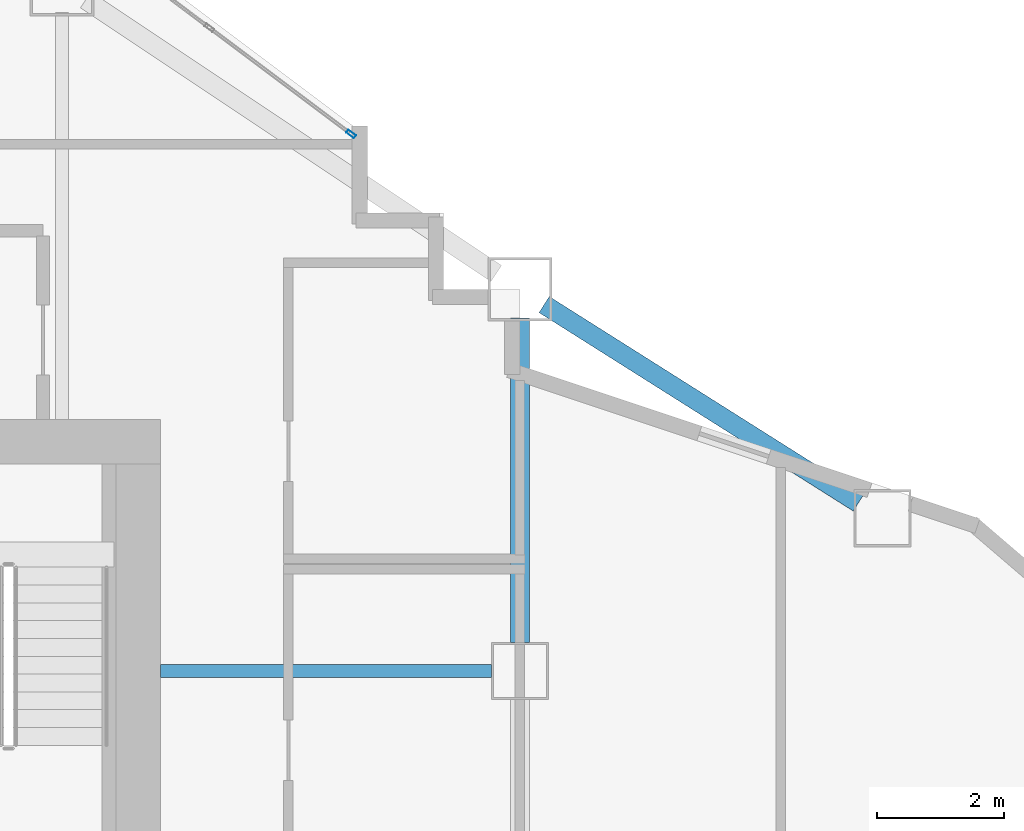
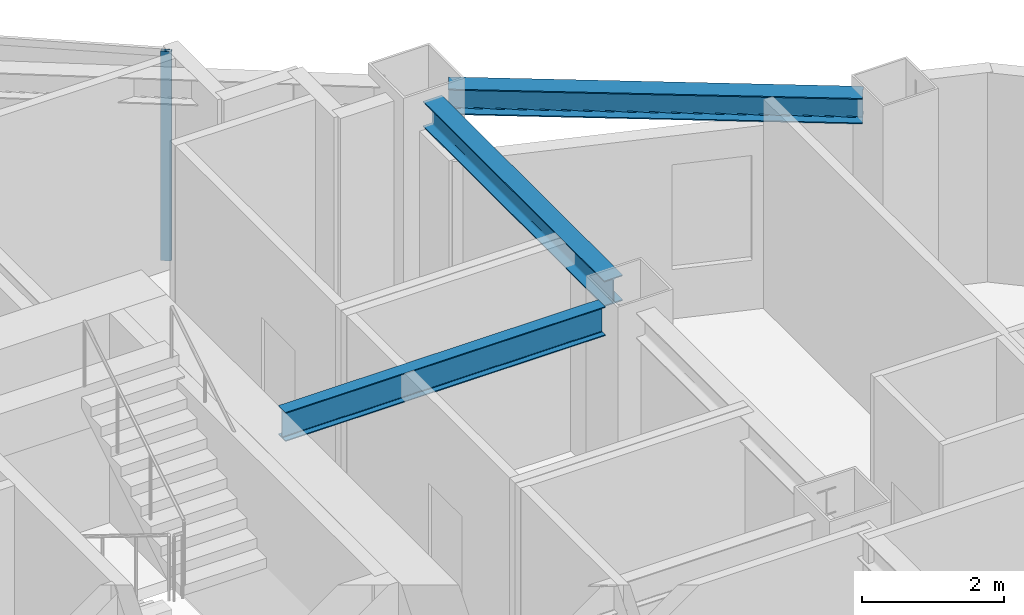
# One storey, part 5 of 15: 3 beams, 1 member, 1 element without a shape of its own.
"""IFC4 building model written with IfcOpenShell, lengths in metres."""

from ifc_helpers import new_model, si_unit, direction, frame, origin, origin_2d, place, context, subcontext, project, spatial, hollow_rectangle, i_section, extrude, material, layer, layer_set, material_profile, profile_set, type_object, element, aggregate, save


model = new_model("IFC4")

# Units and contexts
model_context = context("Model", 3, precision=1e-05, world=origin(), true_north=direction((0.0, 1.0)))
body_context = subcontext(model_context, "Body", "Model", "MODEL_VIEW")
ifc_project = project(units=[si_unit("LENGTHUNIT", "METRE"), si_unit("AREAUNIT", "SQUARE_METRE"), si_unit("VOLUMEUNIT", "CUBIC_METRE"), si_unit("PLANEANGLEUNIT", "RADIAN"), si_unit("MASSUNIT", "GRAM", prefix="KILO")], contexts=[model_context])

# Site, building, storey
site_placement = place(None, origin())
site = spatial("IfcSite", under=ifc_project, at=site_placement, CompositionType="ELEMENT")
building_placement = place(site_placement, origin())
building = spatial("IfcBuilding", under=site, at=building_placement, Name="Haolan Belvedere Tower", CompositionType="ELEMENT")
storey_placement = place(building_placement, frame((0.0, 0.0, 152.39990234375)))
storey = spatial("IfcBuildingStorey", under=building, at=storey_placement, Name="L38", CompositionType="ELEMENT", Elevation=152.39990234375)

# Beams
ifc_material_1 = material(Name="Steel Q355B", Category="steel")
ifc_material_profile_1 = material_profile(ifc_material_1, i_section(OverallWidth=0.300048828125, OverallDepth=0.43994140625, WebThickness=0.010986328125, FlangeThickness=0.01806640625, FilletRadius=0.02392578125, at=origin_2d()), Name="Steel Q355B")
ifc_profile_set_1 = profile_set([ifc_material_profile_1], Name="Steel Q355B")
beam_type_1 = type_object("IfcBeamType", Name="BM-HM440x300x11x18", PredefinedType="SPANDREL", material=ifc_profile_set_1)
beam_1_placement = place(storey_placement, frame((52.800048828125, 40.050048828125, 3.380126953125), z_axis=(0.0, 1.0, 0.0), x_axis=(-1.0, 0.0, 0.0)))
element("IfcBeam", 1, at=beam_1_placement, inside=storey, type_object=beam_type_1, Name="L38 spandrel girder TC-T3-E2-MC-T3-NE", PredefinedType="SPANDREL", context=body_context, shape_type="SweptSolid", body=[
    extrude(i_section(OverallWidth=0.300048828125, OverallDepth=0.43994140625, WebThickness=0.010986328125, FlangeThickness=0.01806640625, FilletRadius=0.02392578125, at=origin_2d()), origin(), (0.0, 0.0, 1.0), 5.099853515625),
])
beam_2_placement = place(storey_placement, frame((53.180419921875, 45.359619140625, 3.380126953125), z_axis=(0.845497840649, -0.533978839898, 0.0), x_axis=(0.533978839898, 0.845497840649, 0.0)))
element("IfcBeam", 2, at=beam_2_placement, inside=storey, type_object=beam_type_1, Name="L38 spandrel girder MC-T3-NE-TC-T4-N1", PredefinedType="SPANDREL", context=body_context, shape_type="SweptSolid", body=[
    extrude(i_section(OverallWidth=0.300048828125, OverallDepth=0.43994140625, WebThickness=0.010986328125, FlangeThickness=0.01806640625, FilletRadius=0.02392578125, at=origin_2d()), origin(), (0.0, 0.0, 1.0), 5.841796875),
])
ifc_material_profile_2 = material_profile(ifc_material_1, i_section(OverallWidth=0.199951171875, OverallDepth=0.5, WebThickness=0.010009765625, FlangeThickness=0.01611328125, FilletRadius=0.02001953125, at=origin_2d()), Name="Steel Q355B")
ifc_profile_set_2 = profile_set([ifc_material_profile_2], Name="Steel Q355B")
beam_type_2 = type_object("IfcBeamType", Name="BM-HN500x200x10x16", PredefinedType="BEAM", material=ifc_profile_set_2)
beam_3_placement = place(storey_placement, frame((52.35009765625, 39.60009765625, 3.35009765625), z_axis=(-1.0, 0.0, 0.0), x_axis=(0.0, -1.0, 0.0)))
element("IfcBeam", 3, at=beam_3_placement, inside=storey, type_object=beam_type_2, Name="L38 core tie beam from TC-T3-E2", PredefinedType="BEAM", context=body_context, shape_type="SweptSolid", body=[
    extrude(i_section(OverallWidth=0.199951171875, OverallDepth=0.5, WebThickness=0.010009765625, FlangeThickness=0.01611328125, FilletRadius=0.02001953125, at=origin_2d()), origin(), (0.0, 0.0, 1.0), 5.2001953125),
])

# Curtain wall, member
ifc_material_2 = material(Name="Anodised champagne-silver aluminium 6063-T6 and Low-E glass", Category="aluminium")
ifc_layer = layer(ifc_material_2, 0.155029296875, Name="Anodised champagne-silver aluminium 6063-T6 and Low-E glass")
ifc_layer_set = layer_set([ifc_layer], Name="Anodised champagne-silver aluminium 6063-T6 and Low-E glass")
curtain_wall_type = type_object("IfcCurtainWallType", Name="CW-SYS-03", PredefinedType="NOTDEFINED", material=ifc_layer_set)
curtain_wall_placement = place(storey_placement, origin())
curtain_wall = element("IfcCurtainWall", 4, at=curtain_wall_placement, inside=storey, type_object=curtain_wall_type, Name="L38 CW-SYS-03 ribbon curtain wall 26.1", PredefinedType="NOTDEFINED")
ifc_material_3 = material(Name="Anodised aluminium 6063-T6", Category="aluminium")
ifc_material_profile_3 = material_profile(ifc_material_3, hollow_rectangle(XDim=0.05810546875, YDim=0.155029296875, WallThickness=0.00390625, at=origin_2d()), Name="Anodised aluminium 6063-T6")
ifc_profile_set_3 = profile_set([ifc_material_profile_3], Name="Anodised aluminium 6063-T6")
member_type = type_object("IfcMemberType", Name="CW-SYS-03-MUL", PredefinedType="MULLION", material=ifc_profile_set_3)
member_placement = place(storey_placement, frame((50.144775390625, 48.04150390625, 0.0), z_axis=(0.0, 0.0, 1.0), x_axis=(-0.599994316874, -0.800004262313, 0.0)))
member = element("IfcMember", 5, at=member_placement, type_object=member_type, Name="CW-03 mullion 1", PredefinedType="MULLION", context=body_context, shape_type="SweptSolid", body=[
    extrude(hollow_rectangle(XDim=0.05810546875, YDim=0.155029296875, WallThickness=0.00390625, at=origin_2d()), origin(), (0.0, 0.0, 1.0), 3.60009765625),
])
aggregate(curtain_wall, [member])

save(model, "model.ifc")
